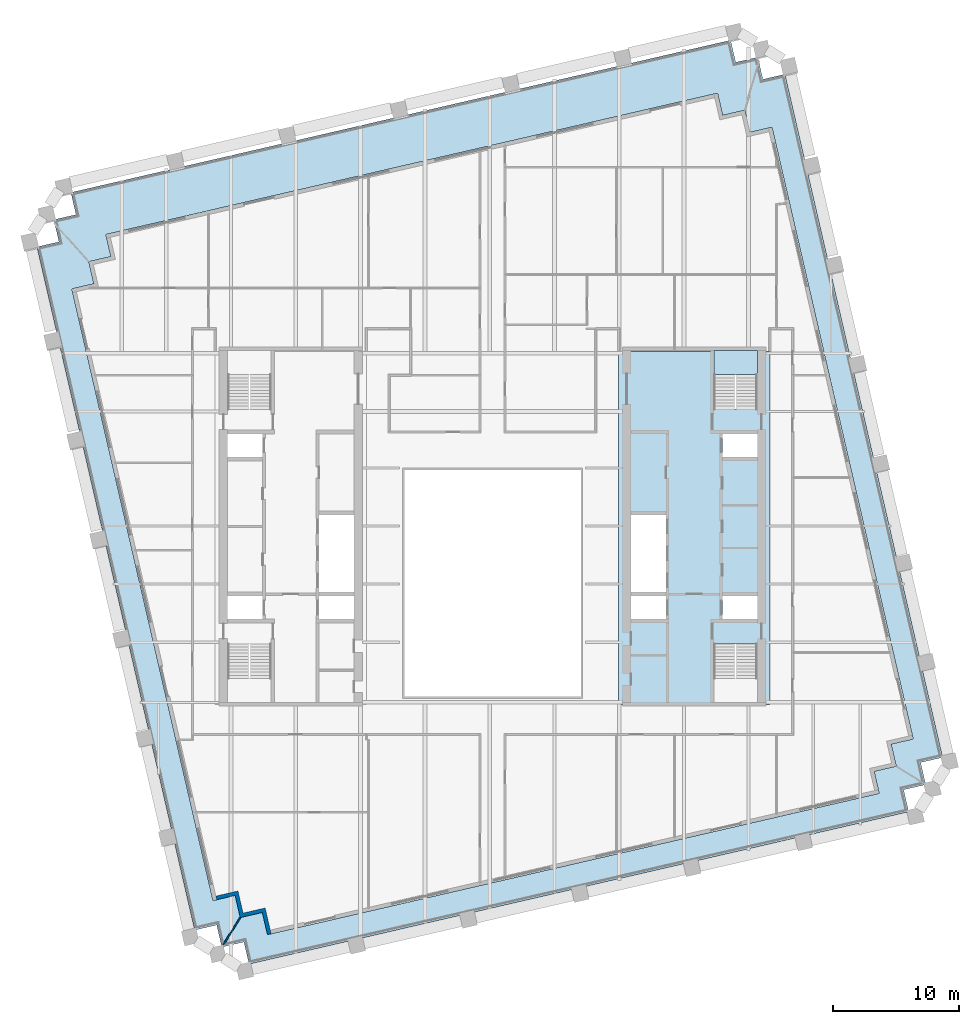
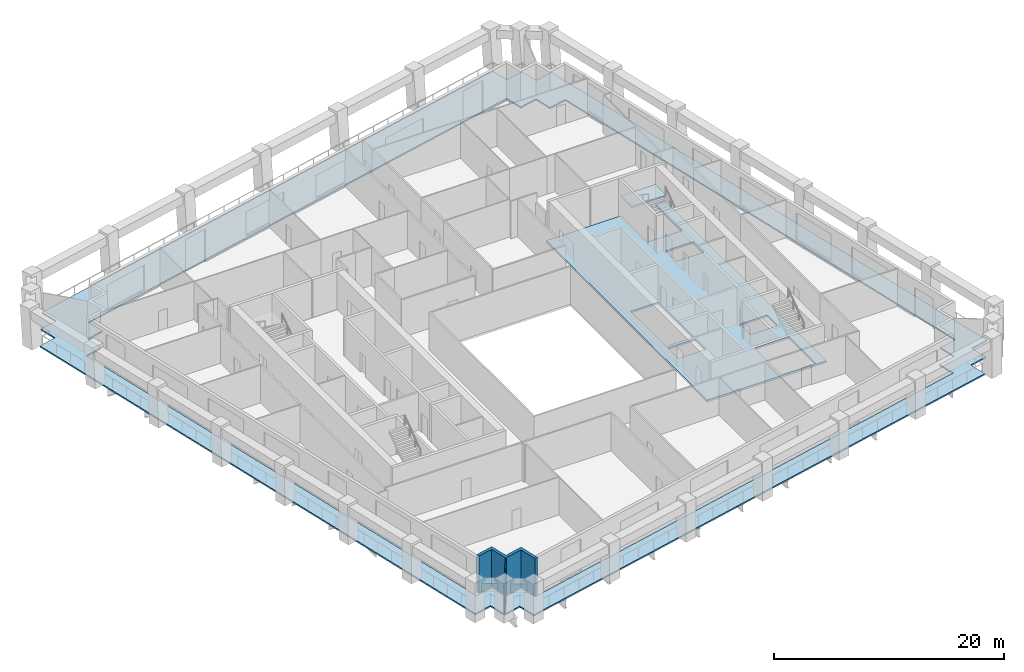
# One storey, part 3 of 10: 3 slabs, 2 walls, 1 element without a shape of its own.
"""IFC4 building model written with IfcOpenShell, lengths in metres."""

from ifc_helpers import new_model, si_unit, direction, frame, frame_2d, origin, place, context, subcontext, project, spatial, polyline, rectangle, outline, extrude, material, layer, layer_set, type_object, element, aggregate, save


model = new_model("IFC4")

# Units and contexts
model_context = context("Model", 3, precision=1e-05, world=origin(), true_north=direction((0.0, 1.0)))
body_context = subcontext(model_context, "Body", "Model", "MODEL_VIEW")
ifc_project = project(units=[si_unit("LENGTHUNIT", "METRE"), si_unit("AREAUNIT", "SQUARE_METRE"), si_unit("VOLUMEUNIT", "CUBIC_METRE"), si_unit("PLANEANGLEUNIT", "RADIAN"), si_unit("MASSUNIT", "GRAM", prefix="KILO")], contexts=[model_context])

# Site, building, storey
site_placement = place(None, origin())
site = spatial("IfcSite", under=ifc_project, at=site_placement, CompositionType="ELEMENT")
building_placement = place(site_placement, origin())
building = spatial("IfcBuilding", under=site, at=building_placement, Name="Ogive Exchange Tower", CompositionType="ELEMENT")
storey_placement = place(building_placement, frame((0.0, 0.0, 188.39990234375)))
storey = spatial("IfcBuildingStorey", under=building, at=storey_placement, Name="L41", CompositionType="ELEMENT", Elevation=188.39990234375)

# Slabs
ifc_material_1 = material(Name="Concrete C70/85", Category="concrete")
ifc_layer_1 = layer(ifc_material_1, 0.199951171875)
ifc_layer_set_1 = layer_set([ifc_layer_1], Name="Core floor slab 200")
slab_type_1 = type_object("IfcSlabType", Name="Core floor slab 200", PredefinedType="FLOOR", material=ifc_layer_set_1)
slab_1_placement = place(storey_placement, frame((0.0, 0.0, -0.199951171875)))
element("IfcSlab", 1, at=slab_1_placement, inside=storey, type_object=slab_type_1, Name="Core floor slab", PredefinedType="FLOOR", context=body_context, shape_type="SweptSolid", body=[
    extrude(outline(polyline([(22.0, 25.39990234375), (22.0, -2.60009765625), (10.0, -2.60009765625), (10.0, 25.39990234375), (17.550048828125, 25.39990234375), (17.550048828125, 20.803955078125), (21.0, 20.803955078125), (21.0, 25.39990234375), (22.0, 25.39990234375)]), holes=[polyline([(21.0, 2.196044921875), (17.550048828125, 2.196044921875), (17.550048828125, -2.449951171875), (21.0, -2.449951171875), (21.0, 2.196044921875)]), polyline([(13.75, 5.992919921875), (11.0, 5.992919921875), (11.0, 4.14990234375), (13.75, 4.14990234375), (13.75, 5.992919921875)]), polyline([(21.0, 5.992919921875), (18.25, 5.992919921875), (18.25, 4.14990234375), (21.0, 4.14990234375), (21.0, 5.992919921875)]), polyline([(11.0, 12.42138671875), (11.0, 6.29296875), (13.75, 6.29296875), (13.75, 12.42138671875), (11.0, 12.42138671875)]), polyline([(21.0, 18.85009765625), (18.25, 18.85009765625), (18.25, 17.007080078125), (21.0, 17.007080078125), (21.0, 18.85009765625)])]), origin(), (0.0, 0.0, 1.0), 0.199951171875),
])
ifc_material_2 = material(Name="Concrete C50/60", Category="concrete")
ifc_layer_2 = layer(ifc_material_2, 0.14990234375)
ifc_layer_set_2 = layer_set([ifc_layer_2], Name="Loggia deck 150")
slab_type_2 = type_object("IfcSlabType", Name="Loggia deck 150", PredefinedType="FLOOR", material=ifc_layer_set_2)
slab_2_placement = place(storey_placement, frame((0.0, 0.0, -0.199951171875)))
element("IfcSlab", 2, at=slab_2_placement, inside=storey, type_object=slab_type_2, Name="Loggia deck", PredefinedType="FLOOR", context=body_context, shape_type="SweptSolid", body=[
    extrude(outline(polyline([(-19.717041015625, -21.45556640625), (-21.470947265625, -21.860595703125), (-21.875732421875, -20.106689453125), (-23.629638671875, -20.51171875), (-36.140380859375, 33.678955078125), (-34.38671875, 34.083740234375), (-34.79150390625, 35.837646484375), (-33.03759765625, 36.24267578125), (-33.442626953125, 37.99658203125), (18.881103515625, 50.076416015625), (19.285888671875, 48.322509765625), (21.039794921875, 48.727294921875), (21.44482421875, 46.973388671875), (23.198486328125, 47.37841796875), (35.70947265625, -6.81201171875), (33.95556640625, -7.217041015625), (34.360595703125, -8.970947265625), (32.606689453125, -9.375732421875), (33.01171875, -11.129638671875), (-19.31201171875, -23.20947265625), (-19.717041015625, -21.45556640625)]), holes=[polyline([(30.26806640625, -7.914306640625), (32.02197265625, -7.509521484375), (31.616943359375, -5.755615234375), (33.370849609375, -5.3505859375), (22.168212890625, 43.1728515625), (20.414306640625, 42.76806640625), (20.009521484375, 44.52197265625), (18.255615234375, 44.116943359375), (17.8505859375, 45.870849609375), (-30.6728515625, 34.668212890625), (-30.26806640625, 32.914306640625), (-32.02197265625, 32.509521484375), (-31.616943359375, 30.755615234375), (-33.370849609375, 30.3505859375), (-22.168212890625, -18.1728515625), (-20.414306640625, -17.76806640625), (-20.009521484375, -19.52197265625), (-18.255615234375, -19.116943359375), (-17.8505859375, -20.870849609375), (30.6728515625, -9.668212890625), (30.26806640625, -7.914306640625)])]), origin(), (0.0, 0.0, 1.0), 0.150146484375),
])

# Stair, slab
ifc_material_3 = material(Name="Concrete C40/50", Category="concrete")
stair_type = type_object("IfcStairType", Name="Exit stair 1650 wide", PredefinedType="HALF_TURN_STAIR", material=ifc_material_3)
stair_placement = place(storey_placement, origin())
stair = element("IfcStair", 3, at=stair_placement, inside=storey, type_object=stair_type, Name="L41 exit stair ST4", PredefinedType="HALF_TURN_STAIR")
ifc_layer_3 = layer(ifc_material_3, 0.199951171875)
ifc_layer_set_3 = layer_set([ifc_layer_3], Name="Stair landing 200 slab")
slab_type_3 = type_object("IfcSlabType", Name="Stair landing 200 slab", PredefinedType="LANDING", material=ifc_layer_set_3)
slab_3_placement = place(storey_placement, frame((0.0, 0.0, 1.900146484375)))
slab_3 = element("IfcSlab", 4, at=slab_3_placement, type_object=slab_type_3, Name="ST4 landing 1", PredefinedType="LANDING", context=body_context, shape_type="SweptSolid", body=[
    extrude(outline(polyline([(21.0, 23.550048828125), (21.0, 25.449951171875), (17.550048828125, 25.449951171875), (17.550048828125, 23.550048828125), (21.0, 23.550048828125)])), origin(), (0.0, 0.0, 1.0), 0.199951171875),
])
aggregate(stair, [slab_3])

# Walls
ifc_material_4 = material(Name="Precast concrete C40/50", Category="concrete")
ifc_layer_4 = layer(ifc_material_4, 0.300048828125)
ifc_layer_set_4 = layer_set([ifc_layer_4], Name="Limestone-faced wall 300")
wall_type_1 = type_object("IfcWallType", Name="Limestone-faced wall 300", PredefinedType="STANDARD", material=ifc_layer_set_4)
wall_1_placement = place(storey_placement, origin())
element("IfcWall", 5, at=wall_1_placement, inside=storey, type_object=wall_type_1, Name="External corner wall C4", PredefinedType="STANDARD", context=body_context, shape_type="SweptSolid", body=[
    extrude(outline(polyline([(-18.255615234375, -19.116943359375), (-20.009521484375, -19.52197265625), (-20.414306640625, -17.76806640625), (-21.8759765625, -18.10546875), (-21.943359375, -17.81298828125), (-20.189697265625, -17.408203125), (-19.78466796875, -19.162109375), (-18.03076171875, -18.757080078125), (-17.558349609375, -20.80322265625), (-17.8505859375, -20.870849609375), (-18.255615234375, -19.116943359375)])), origin(), (0.0, 0.0, 1.0), 4.0),
])
ifc_material_5 = material(Name="Laminated safety glass in steel frame", Category="steel")
ifc_layer_5 = layer(ifc_material_5, 0.10009765625)
ifc_layer_set_5 = layer_set([ifc_layer_5], Name="Loggia end screen 100")
wall_type_2 = type_object("IfcWallType", Name="Loggia end screen 100", PredefinedType="STANDARD", material=ifc_layer_set_5)
wall_2_placement = place(storey_placement, frame((-20.009521484375, -19.52197265625, -0.0498046875), z_axis=(0.0, 0.0, 1.0), x_axis=(-0.529920736377, -0.848047176257, 0.0)))
element("IfcWall", 6, at=wall_2_placement, inside=storey, type_object=wall_type_2, Name="Loggia end screen C4", PredefinedType="STANDARD", context=body_context, shape_type="SweptSolid", body=[
    extrude(rectangle(XDim=2.525634765625, YDim=0.10009765625, at=frame_2d((1.2626953125, 0.0))), origin(), (0.0, 0.0, 1.0), 4.0498046875),
])

save(model, "model.ifc")
